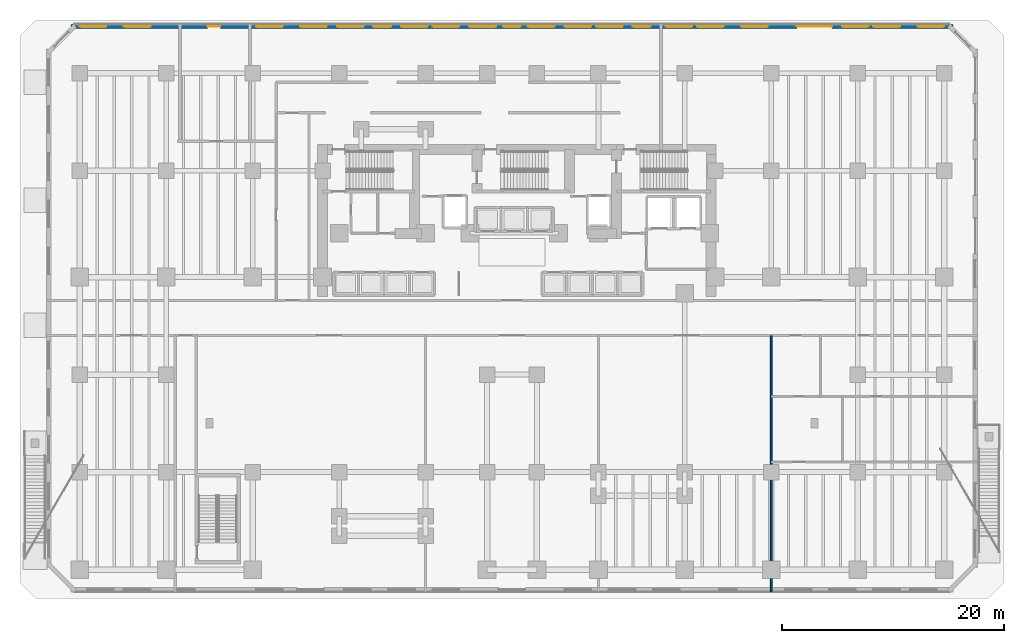
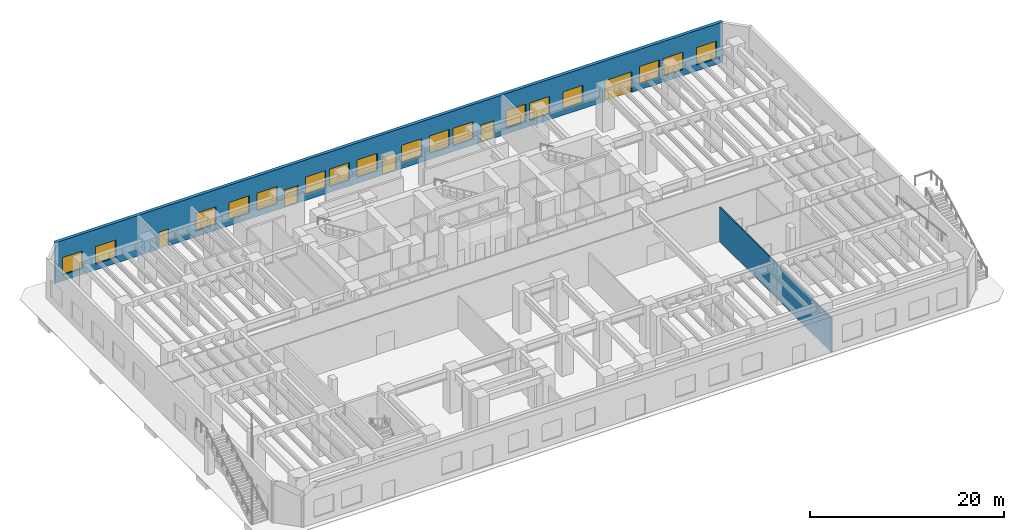
# One storey, part 10 of 17: 17 windows, 5 doors, 2 walls, 22 openings.
"""IFC4 building model written with IfcOpenShell, lengths in metres."""

from ifc_helpers import new_model, si_unit, direction, frame, frame_2d, origin, place, context, subcontext, project, spatial, rectangle, extrude, material, layer, layer_set, type_object, element, fill, save


model = new_model("IFC4")

# Units and contexts
model_context = context("Model", 3, precision=1e-05, world=origin(), true_north=direction((0.0, 1.0)))
body_context = subcontext(model_context, "Body", "Model", "MODEL_VIEW")
ifc_project = project(units=[si_unit("LENGTHUNIT", "METRE"), si_unit("AREAUNIT", "SQUARE_METRE"), si_unit("VOLUMEUNIT", "CUBIC_METRE"), si_unit("PLANEANGLEUNIT", "RADIAN"), si_unit("MASSUNIT", "GRAM", prefix="KILO")], contexts=[model_context])

# Site, building, storey
site_placement = place(None, origin())
site = spatial("IfcSite", under=ifc_project, at=site_placement, CompositionType="ELEMENT")
building_placement = place(site_placement, origin())
building = spatial("IfcBuilding", under=site, at=building_placement, Name="Kestravale Grand Hotel", CompositionType="ELEMENT")
storey_placement = place(building_placement, origin())
storey = spatial("IfcBuildingStorey", under=building, at=storey_placement, Name="L00", CompositionType="ELEMENT", Elevation=0.0)

# Wall, openings, doors, windows
ifc_material_1 = material(Name="Precast concrete f'c 45 MPa", Category="concrete")
ifc_layer_1 = layer(ifc_material_1, 0.3798828125)
ifc_layer_set_1 = layer_set([ifc_layer_1], Name="EW-POD-380")
wall_type_1 = type_object("IfcWallType", Name="EW-POD-380", PredefinedType="SOLIDWALL", material=ifc_layer_set_1)
wall_1_placement = place(storey_placement, frame((-0.7900390625, 51.409912109375, 0.0), z_axis=(0.0, 0.0, 1.0), x_axis=(1.0, 0.0, 0.0)))
wall_1 = element("IfcWall", 1, at=wall_1_placement, inside=storey, type_object=wall_type_1, Name="L00 fluted precast facade wall 5", PredefinedType="SOLIDWALL", context=body_context, shape_type="SweptSolid", body=[
    extrude(rectangle(XDim=79.580078125, YDim=0.3798828125, at=frame_2d((39.7900390625, 0.0))), origin(), (0.0, 0.0, 1.0), 5.10009765625),
])
opening_1_placement = place(wall_1_placement, frame((12.31494140625, 0.0, 0.0)))
opening_1 = element("IfcOpeningElement", 2, at=opening_1_placement, cuts=wall_1, Name="Opening D-EXIT-1150", PredefinedType="OPENING", context=body_context, shape_type="SweptSolid", body=[
    extrude(rectangle(XDim=1.14990234375, YDim=2.14990234375, at=frame_2d((0.574951171875, 1.074951171875))), frame((0.0, 0.199951171875, 0.0), z_axis=(0.0, -1.0, 0.0), x_axis=(1.0, 0.0, 0.0)), (0.0, 0.0, 1.0), 0.39990234375),
])
opening_2_placement = place(wall_1_placement, frame((27.2900390625, 0.0, 0.0)))
opening_2 = element("IfcOpeningElement", 3, at=opening_2_placement, cuts=wall_1, Name="Opening D-EXIT-1600", PredefinedType="OPENING", context=body_context, shape_type="SweptSolid", body=[
    extrude(rectangle(XDim=1.60009765625, YDim=2.199951171875, at=frame_2d((0.800048828125, 1.10009765625))), frame((0.0, 0.199951171875, 0.0), z_axis=(0.0, -1.0, 0.0), x_axis=(1.0, 0.0, 0.0)), (0.0, 0.0, 1.0), 0.39990234375),
])
opening_3_placement = place(wall_1_placement, frame((38.989990234375, 0.0, 0.0)))
opening_3 = element("IfcOpeningElement", 4, at=opening_3_placement, cuts=wall_1, Name="Opening D-EXIT-1600", PredefinedType="OPENING", context=body_context, shape_type="SweptSolid", body=[
    extrude(rectangle(XDim=1.60009765625, YDim=2.199951171875, at=frame_2d((0.800048828125, 1.10009765625))), frame((0.0, 0.199951171875, 0.0), z_axis=(0.0, -1.0, 0.0), x_axis=(1.0, 0.0, 0.0)), (0.0, 0.0, 1.0), 0.39990234375),
])
opening_4_placement = place(wall_1_placement, frame((50.68994140625, 0.0, 0.0)))
opening_4 = element("IfcOpeningElement", 5, at=opening_4_placement, cuts=wall_1, Name="Opening D-EXIT-1600", PredefinedType="OPENING", context=body_context, shape_type="SweptSolid", body=[
    extrude(rectangle(XDim=1.60009765625, YDim=2.199951171875, at=frame_2d((0.800048828125, 1.10009765625))), frame((0.0, 0.199951171875, 0.0), z_axis=(0.0, -1.0, 0.0), x_axis=(1.0, 0.0, 0.0)), (0.0, 0.0, 1.0), 0.39990234375),
])
opening_5_placement = place(wall_1_placement, frame((65.489990234375, 0.0, 0.0)))
opening_5 = element("IfcOpeningElement", 6, at=opening_5_placement, cuts=wall_1, Name="Opening D-GATE-3200", PredefinedType="OPENING", context=body_context, shape_type="SweptSolid", body=[
    extrude(rectangle(XDim=3.199951171875, YDim=2.60009765625, at=frame_2d((1.60009765625, 1.300048828125))), frame((0.0, 0.199951171875, 0.0), z_axis=(0.0, -1.0, 0.0), x_axis=(1.0, 0.0, 0.0)), (0.0, 0.0, 1.0), 0.39990234375),
])
opening_6_placement = place(wall_1_placement, frame((0.78955078125, 0.0, 0.75)))
opening_6 = element("IfcOpeningElement", 7, at=opening_6_placement, cuts=wall_1, Name="Opening W-POD-2400", PredefinedType="OPENING", context=body_context, shape_type="SweptSolid", body=[
    extrude(rectangle(XDim=2.39990234375, YDim=2.199951171875, at=frame_2d((1.199951171875, 1.10009765625))), frame((0.0, 0.199951171875, 0.0), z_axis=(0.0, -1.0, 0.0), x_axis=(1.0, 0.0, 0.0)), (0.0, 0.0, 1.0), 0.39990234375),
])
opening_7_placement = place(wall_1_placement, frame((4.7685546875, 0.0, 0.75)))
opening_7 = element("IfcOpeningElement", 8, at=opening_7_placement, cuts=wall_1, Name="Opening W-POD-2400", PredefinedType="OPENING", context=body_context, shape_type="SweptSolid", body=[
    extrude(rectangle(XDim=2.39990234375, YDim=2.199951171875, at=frame_2d((1.199951171875, 1.10009765625))), frame((0.0, 0.199951171875, 0.0), z_axis=(0.0, -1.0, 0.0), x_axis=(1.0, 0.0, 0.0)), (0.0, 0.0, 1.0), 0.39990234375),
])
opening_8_placement = place(wall_1_placement, frame((16.70556640625, 0.0, 0.75)))
opening_8 = element("IfcOpeningElement", 9, at=opening_8_placement, cuts=wall_1, Name="Opening W-POD-2400", PredefinedType="OPENING", context=body_context, shape_type="SweptSolid", body=[
    extrude(rectangle(XDim=2.39990234375, YDim=2.199951171875, at=frame_2d((1.199951171875, 1.10009765625))), frame((0.0, 0.199951171875, 0.0), z_axis=(0.0, -1.0, 0.0), x_axis=(1.0, 0.0, 0.0)), (0.0, 0.0, 1.0), 0.39990234375),
])
opening_9_placement = place(wall_1_placement, frame((20.6845703125, 0.0, 0.75)))
opening_9 = element("IfcOpeningElement", 10, at=opening_9_placement, cuts=wall_1, Name="Opening W-POD-2400", PredefinedType="OPENING", context=body_context, shape_type="SweptSolid", body=[
    extrude(rectangle(XDim=2.39990234375, YDim=2.199951171875, at=frame_2d((1.199951171875, 1.10009765625))), frame((0.0, 0.199951171875, 0.0), z_axis=(0.0, -1.0, 0.0), x_axis=(1.0, 0.0, 0.0)), (0.0, 0.0, 1.0), 0.39990234375),
])
opening_10_placement = place(wall_1_placement, frame((24.013427734375, 0.0, 0.75)))
opening_10 = element("IfcOpeningElement", 11, at=opening_10_placement, cuts=wall_1, Name="Opening W-POD-2400", PredefinedType="OPENING", context=body_context, shape_type="SweptSolid", body=[
    extrude(rectangle(XDim=2.39990234375, YDim=2.199951171875, at=frame_2d((1.199951171875, 1.10009765625))), frame((0.0, 0.199951171875, 0.0), z_axis=(0.0, -1.0, 0.0), x_axis=(1.0, 0.0, 0.0)), (0.0, 0.0, 1.0), 0.39990234375),
])
opening_11_placement = place(wall_1_placement, frame((29.79248046875, 0.0, 0.75)))
opening_11 = element("IfcOpeningElement", 12, at=opening_11_placement, cuts=wall_1, Name="Opening W-POD-2400", PredefinedType="OPENING", context=body_context, shape_type="SweptSolid", body=[
    extrude(rectangle(XDim=2.39990234375, YDim=2.199951171875, at=frame_2d((1.199951171875, 1.10009765625))), frame((0.0, 0.199951171875, 0.0), z_axis=(0.0, -1.0, 0.0), x_axis=(1.0, 0.0, 0.0)), (0.0, 0.0, 1.0), 0.39990234375),
])
opening_12_placement = place(wall_1_placement, frame((32.62158203125, 0.0, 0.75)))
opening_12 = element("IfcOpeningElement", 13, at=opening_12_placement, cuts=wall_1, Name="Opening W-POD-2400", PredefinedType="OPENING", context=body_context, shape_type="SweptSolid", body=[
    extrude(rectangle(XDim=2.39990234375, YDim=2.199951171875, at=frame_2d((1.199951171875, 1.10009765625))), frame((0.0, 0.199951171875, 0.0), z_axis=(0.0, -1.0, 0.0), x_axis=(1.0, 0.0, 0.0)), (0.0, 0.0, 1.0), 0.39990234375),
])
opening_13_placement = place(wall_1_placement, frame((35.950439453125, 0.0, 0.75)))
opening_13 = element("IfcOpeningElement", 14, at=opening_13_placement, cuts=wall_1, Name="Opening W-POD-2400", PredefinedType="OPENING", context=body_context, shape_type="SweptSolid", body=[
    extrude(rectangle(XDim=2.39990234375, YDim=2.199951171875, at=frame_2d((1.199951171875, 1.10009765625))), frame((0.0, 0.199951171875, 0.0), z_axis=(0.0, -1.0, 0.0), x_axis=(1.0, 0.0, 0.0)), (0.0, 0.0, 1.0), 0.39990234375),
])
opening_14_placement = place(wall_1_placement, frame((41.2294921875, 0.0, 0.75)))
opening_14 = element("IfcOpeningElement", 15, at=opening_14_placement, cuts=wall_1, Name="Opening W-POD-2400", PredefinedType="OPENING", context=body_context, shape_type="SweptSolid", body=[
    extrude(rectangle(XDim=2.39990234375, YDim=2.199951171875, at=frame_2d((1.199951171875, 1.10009765625))), frame((0.0, 0.199951171875, 0.0), z_axis=(0.0, -1.0, 0.0), x_axis=(1.0, 0.0, 0.0)), (0.0, 0.0, 1.0), 0.39990234375),
])
opening_15_placement = place(wall_1_placement, frame((44.55859375, 0.0, 0.75)))
opening_15 = element("IfcOpeningElement", 16, at=opening_15_placement, cuts=wall_1, Name="Opening W-POD-2400", PredefinedType="OPENING", context=body_context, shape_type="SweptSolid", body=[
    extrude(rectangle(XDim=2.39990234375, YDim=2.199951171875, at=frame_2d((1.199951171875, 1.10009765625))), frame((0.0, 0.199951171875, 0.0), z_axis=(0.0, -1.0, 0.0), x_axis=(1.0, 0.0, 0.0)), (0.0, 0.0, 1.0), 0.39990234375),
])
opening_16_placement = place(wall_1_placement, frame((47.387451171875, 0.0, 0.75)))
opening_16 = element("IfcOpeningElement", 17, at=opening_16_placement, cuts=wall_1, Name="Opening W-POD-2400", PredefinedType="OPENING", context=body_context, shape_type="SweptSolid", body=[
    extrude(rectangle(XDim=2.39990234375, YDim=2.199951171875, at=frame_2d((1.199951171875, 1.10009765625))), frame((0.0, 0.199951171875, 0.0), z_axis=(0.0, -1.0, 0.0), x_axis=(1.0, 0.0, 0.0)), (0.0, 0.0, 1.0), 0.39990234375),
])
opening_17_placement = place(wall_1_placement, frame((53.66650390625, 0.0, 0.75)))
opening_17 = element("IfcOpeningElement", 18, at=opening_17_placement, cuts=wall_1, Name="Opening W-POD-2400", PredefinedType="OPENING", context=body_context, shape_type="SweptSolid", body=[
    extrude(rectangle(XDim=2.39990234375, YDim=2.199951171875, at=frame_2d((1.199951171875, 1.10009765625))), frame((0.0, 0.199951171875, 0.0), z_axis=(0.0, -1.0, 0.0), x_axis=(1.0, 0.0, 0.0)), (0.0, 0.0, 1.0), 0.39990234375),
])
opening_18_placement = place(wall_1_placement, frame((56.49560546875, 0.0, 0.75)))
opening_18 = element("IfcOpeningElement", 19, at=opening_18_placement, cuts=wall_1, Name="Opening W-POD-2400", PredefinedType="OPENING", context=body_context, shape_type="SweptSolid", body=[
    extrude(rectangle(XDim=2.39990234375, YDim=2.199951171875, at=frame_2d((1.199951171875, 1.10009765625))), frame((0.0, 0.199951171875, 0.0), z_axis=(0.0, -1.0, 0.0), x_axis=(1.0, 0.0, 0.0)), (0.0, 0.0, 1.0), 0.39990234375),
])
opening_19_placement = place(wall_1_placement, frame((60.474609375, 0.0, 0.75)))
opening_19 = element("IfcOpeningElement", 20, at=opening_19_placement, cuts=wall_1, Name="Opening W-POD-2400", PredefinedType="OPENING", context=body_context, shape_type="SweptSolid", body=[
    extrude(rectangle(XDim=2.39990234375, YDim=2.199951171875, at=frame_2d((1.199951171875, 1.10009765625))), frame((0.0, 0.199951171875, 0.0), z_axis=(0.0, -1.0, 0.0), x_axis=(1.0, 0.0, 0.0)), (0.0, 0.0, 1.0), 0.39990234375),
])
opening_20_placement = place(wall_1_placement, frame((69.58251953125, 0.0, 0.75)))
opening_20 = element("IfcOpeningElement", 21, at=opening_20_placement, cuts=wall_1, Name="Opening W-POD-2400", PredefinedType="OPENING", context=body_context, shape_type="SweptSolid", body=[
    extrude(rectangle(XDim=2.39990234375, YDim=2.199951171875, at=frame_2d((1.199951171875, 1.10009765625))), frame((0.0, 0.199951171875, 0.0), z_axis=(0.0, -1.0, 0.0), x_axis=(1.0, 0.0, 0.0)), (0.0, 0.0, 1.0), 0.39990234375),
])
opening_21_placement = place(wall_1_placement, frame((72.41162109375, 0.0, 0.75)))
opening_21 = element("IfcOpeningElement", 22, at=opening_21_placement, cuts=wall_1, Name="Opening W-POD-2400", PredefinedType="OPENING", context=body_context, shape_type="SweptSolid", body=[
    extrude(rectangle(XDim=2.39990234375, YDim=2.199951171875, at=frame_2d((1.199951171875, 1.10009765625))), frame((0.0, 0.199951171875, 0.0), z_axis=(0.0, -1.0, 0.0), x_axis=(1.0, 0.0, 0.0)), (0.0, 0.0, 1.0), 0.39990234375),
])
opening_22_placement = place(wall_1_placement, frame((76.390380859375, 0.0, 0.75)))
opening_22 = element("IfcOpeningElement", 23, at=opening_22_placement, cuts=wall_1, Name="Opening W-POD-2400", PredefinedType="OPENING", context=body_context, shape_type="SweptSolid", body=[
    extrude(rectangle(XDim=2.39990234375, YDim=2.199951171875, at=frame_2d((1.199951171875, 1.10009765625))), frame((0.0, 0.199951171875, 0.0), z_axis=(0.0, -1.0, 0.0), x_axis=(1.0, 0.0, 0.0)), (0.0, 0.0, 1.0), 0.39990234375),
])
ifc_material_2 = material(Name="Galvanised insulated hollow steel door", Category="steel")
door_type_1 = type_object("IfcDoorType", Name="D-EXIT-1150", OperationType="NOTDEFINED", PredefinedType="DOOR", material=ifc_material_2)
door_1_placement = place(opening_1_placement, origin())
door_1 = element("IfcDoor", 24, at=door_1_placement, inside=storey, type_object=door_type_1, Name="Fire Command Center Firefighter Street Door", OperationType="SINGLE_SWING_LEFT", OverallHeight=2.14990234375, OverallWidth=1.14990234375, PredefinedType="DOOR", context=body_context, shape_type="SweptSolid", body=[
    extrude(rectangle(XDim=1.14990234375, YDim=2.14990234375, at=frame_2d((0.574951171875, 1.074951171875))), frame((0.0, 0.02490234375, 0.0), z_axis=(0.0, -1.0, 0.0), x_axis=(1.0, 0.0, 0.0)), (0.0, 0.0, 1.0), 0.050048828125),
])
fill(opening_1, door_1)
ifc_material_3 = material(Name="Galvanised insulated hollow steel door", Category="steel")
door_type_2 = type_object("IfcDoorType", Name="D-EXIT-1600", OperationType="NOTDEFINED", PredefinedType="DOOR", material=ifc_material_3)
door_2_placement = place(opening_2_placement, origin())
door_2 = element("IfcDoor", 25, at=door_2_placement, inside=storey, type_object=door_type_2, Name="North Core Stair Exit Discharge Door West", OperationType="DOUBLE_DOOR_SINGLE_SWING", OverallHeight=2.199951171875, OverallWidth=1.60009765625, PredefinedType="DOOR", context=body_context, shape_type="SweptSolid", body=[
    extrude(rectangle(XDim=1.60009765625, YDim=2.199951171875, at=frame_2d((0.800048828125, 1.10009765625))), frame((0.0, 0.02490234375, 0.0), z_axis=(0.0, -1.0, 0.0), x_axis=(1.0, 0.0, 0.0)), (0.0, 0.0, 1.0), 0.050048828125),
])
fill(opening_2, door_2)
door_3_placement = place(opening_3_placement, origin())
door_3 = element("IfcDoor", 26, at=door_3_placement, inside=storey, type_object=door_type_2, Name="North Core Stair Exit Discharge Door Central", OperationType="DOUBLE_DOOR_SINGLE_SWING", OverallHeight=2.199951171875, OverallWidth=1.60009765625, PredefinedType="DOOR", context=body_context, shape_type="SweptSolid", body=[
    extrude(rectangle(XDim=1.60009765625, YDim=2.199951171875, at=frame_2d((0.800048828125, 1.10009765625))), frame((0.0, 0.02490234375, 0.0), z_axis=(0.0, -1.0, 0.0), x_axis=(1.0, 0.0, 0.0)), (0.0, 0.0, 1.0), 0.050048828125),
])
fill(opening_3, door_3)
door_4_placement = place(opening_4_placement, origin())
door_4 = element("IfcDoor", 27, at=door_4_placement, inside=storey, type_object=door_type_2, Name="North Core Stair Exit Discharge Door East", OperationType="DOUBLE_DOOR_SINGLE_SWING", OverallHeight=2.199951171875, OverallWidth=1.60009765625, PredefinedType="DOOR", context=body_context, shape_type="SweptSolid", body=[
    extrude(rectangle(XDim=1.60009765625, YDim=2.199951171875, at=frame_2d((0.800048828125, 1.10009765625))), frame((0.0, 0.02490234375, 0.0), z_axis=(0.0, -1.0, 0.0), x_axis=(1.0, 0.0, 0.0)), (0.0, 0.0, 1.0), 0.050048828125),
])
fill(opening_4, door_4)
ifc_material_4 = material(Name="Galvanised insulated hollow steel door", Category="steel")
door_type_3 = type_object("IfcDoorType", Name="D-GATE-3200", OperationType="NOTDEFINED", PredefinedType="GATE", material=ifc_material_4)
door_5_placement = place(opening_5_placement, origin())
door_5 = element("IfcDoor", 28, at=door_5_placement, inside=storey, type_object=door_type_3, Name="Service Loading Dock Security Gate 1", OperationType="DOUBLE_DOOR_FOLDING", OverallHeight=2.60009765625, OverallWidth=3.199951171875, PredefinedType="GATE", context=body_context, shape_type="SweptSolid", body=[
    extrude(rectangle(XDim=3.199951171875, YDim=2.60009765625, at=frame_2d((1.60009765625, 1.300048828125))), frame((0.0, 0.02490234375, 0.0), z_axis=(0.0, -1.0, 0.0), x_axis=(1.0, 0.0, 0.0)), (0.0, 0.0, 1.0), 0.050048828125),
])
fill(opening_5, door_5)
ifc_material_5 = material(Name="Insulated low-E double glazing in aluminium frame", Category="aluminium")
window_type = type_object("IfcWindowType", Name="W-POD-2400", PartitioningType="DOUBLE_PANEL_VERTICAL", PredefinedType="WINDOW", material=ifc_material_5)
window_1_placement = place(opening_6_placement, origin())
window_1 = element("IfcWindow", 29, at=window_1_placement, inside=storey, type_object=window_type, Name="L00 exterior window 5.1", OverallHeight=2.199951171875, OverallWidth=2.39990234375, PartitioningType="SINGLE_PANEL", PredefinedType="WINDOW", context=body_context, shape_type="SweptSolid", body=[
    extrude(rectangle(XDim=2.39990234375, YDim=2.199951171875, at=frame_2d((1.199951171875, 1.10009765625))), frame((0.0, 0.030029296875, 0.0), z_axis=(0.0, -1.0, 0.0), x_axis=(1.0, 0.0, 0.0)), (0.0, 0.0, 1.0), 0.06005859375),
])
fill(opening_6, window_1)
window_2_placement = place(opening_7_placement, origin())
window_2 = element("IfcWindow", 30, at=window_2_placement, inside=storey, type_object=window_type, Name="L00 exterior window 5.2", OverallHeight=2.199951171875, OverallWidth=2.39990234375, PartitioningType="SINGLE_PANEL", PredefinedType="WINDOW", context=body_context, shape_type="SweptSolid", body=[
    extrude(rectangle(XDim=2.39990234375, YDim=2.199951171875, at=frame_2d((1.199951171875, 1.10009765625))), frame((0.0, 0.030029296875, 0.0), z_axis=(0.0, -1.0, 0.0), x_axis=(1.0, 0.0, 0.0)), (0.0, 0.0, 1.0), 0.06005859375),
])
fill(opening_7, window_2)
window_3_placement = place(opening_8_placement, origin())
window_3 = element("IfcWindow", 31, at=window_3_placement, inside=storey, type_object=window_type, Name="L00 exterior window 5.3", OverallHeight=2.199951171875, OverallWidth=2.39990234375, PartitioningType="SINGLE_PANEL", PredefinedType="WINDOW", context=body_context, shape_type="SweptSolid", body=[
    extrude(rectangle(XDim=2.39990234375, YDim=2.199951171875, at=frame_2d((1.199951171875, 1.10009765625))), frame((0.0, 0.030029296875, 0.0), z_axis=(0.0, -1.0, 0.0), x_axis=(1.0, 0.0, 0.0)), (0.0, 0.0, 1.0), 0.06005859375),
])
fill(opening_8, window_3)
window_4_placement = place(opening_9_placement, origin())
window_4 = element("IfcWindow", 32, at=window_4_placement, inside=storey, type_object=window_type, Name="L00 exterior window 5.4", OverallHeight=2.199951171875, OverallWidth=2.39990234375, PartitioningType="SINGLE_PANEL", PredefinedType="WINDOW", context=body_context, shape_type="SweptSolid", body=[
    extrude(rectangle(XDim=2.39990234375, YDim=2.199951171875, at=frame_2d((1.199951171875, 1.10009765625))), frame((0.0, 0.030029296875, 0.0), z_axis=(0.0, -1.0, 0.0), x_axis=(1.0, 0.0, 0.0)), (0.0, 0.0, 1.0), 0.06005859375),
])
fill(opening_9, window_4)
window_5_placement = place(opening_10_placement, origin())
window_5 = element("IfcWindow", 33, at=window_5_placement, inside=storey, type_object=window_type, Name="L00 exterior window 5.5", OverallHeight=2.199951171875, OverallWidth=2.39990234375, PartitioningType="SINGLE_PANEL", PredefinedType="WINDOW", context=body_context, shape_type="SweptSolid", body=[
    extrude(rectangle(XDim=2.39990234375, YDim=2.199951171875, at=frame_2d((1.199951171875, 1.10009765625))), frame((0.0, 0.030029296875, 0.0), z_axis=(0.0, -1.0, 0.0), x_axis=(1.0, 0.0, 0.0)), (0.0, 0.0, 1.0), 0.06005859375),
])
fill(opening_10, window_5)
window_6_placement = place(opening_11_placement, origin())
window_6 = element("IfcWindow", 34, at=window_6_placement, inside=storey, type_object=window_type, Name="L00 exterior window 5.6", OverallHeight=2.199951171875, OverallWidth=2.39990234375, PartitioningType="SINGLE_PANEL", PredefinedType="WINDOW", context=body_context, shape_type="SweptSolid", body=[
    extrude(rectangle(XDim=2.39990234375, YDim=2.199951171875, at=frame_2d((1.199951171875, 1.10009765625))), frame((0.0, 0.030029296875, 0.0), z_axis=(0.0, -1.0, 0.0), x_axis=(1.0, 0.0, 0.0)), (0.0, 0.0, 1.0), 0.06005859375),
])
fill(opening_11, window_6)
window_7_placement = place(opening_12_placement, origin())
window_7 = element("IfcWindow", 35, at=window_7_placement, inside=storey, type_object=window_type, Name="L00 exterior window 5.7", OverallHeight=2.199951171875, OverallWidth=2.39990234375, PartitioningType="SINGLE_PANEL", PredefinedType="WINDOW", context=body_context, shape_type="SweptSolid", body=[
    extrude(rectangle(XDim=2.39990234375, YDim=2.199951171875, at=frame_2d((1.199951171875, 1.10009765625))), frame((0.0, 0.030029296875, 0.0), z_axis=(0.0, -1.0, 0.0), x_axis=(1.0, 0.0, 0.0)), (0.0, 0.0, 1.0), 0.06005859375),
])
fill(opening_12, window_7)
window_8_placement = place(opening_13_placement, origin())
window_8 = element("IfcWindow", 36, at=window_8_placement, inside=storey, type_object=window_type, Name="L00 exterior window 5.8", OverallHeight=2.199951171875, OverallWidth=2.39990234375, PartitioningType="SINGLE_PANEL", PredefinedType="WINDOW", context=body_context, shape_type="SweptSolid", body=[
    extrude(rectangle(XDim=2.39990234375, YDim=2.199951171875, at=frame_2d((1.199951171875, 1.10009765625))), frame((0.0, 0.030029296875, 0.0), z_axis=(0.0, -1.0, 0.0), x_axis=(1.0, 0.0, 0.0)), (0.0, 0.0, 1.0), 0.06005859375),
])
fill(opening_13, window_8)
window_9_placement = place(opening_14_placement, origin())
window_9 = element("IfcWindow", 37, at=window_9_placement, inside=storey, type_object=window_type, Name="L00 exterior window 5.9", OverallHeight=2.199951171875, OverallWidth=2.39990234375, PartitioningType="SINGLE_PANEL", PredefinedType="WINDOW", context=body_context, shape_type="SweptSolid", body=[
    extrude(rectangle(XDim=2.39990234375, YDim=2.199951171875, at=frame_2d((1.199951171875, 1.10009765625))), frame((0.0, 0.030029296875, 0.0), z_axis=(0.0, -1.0, 0.0), x_axis=(1.0, 0.0, 0.0)), (0.0, 0.0, 1.0), 0.06005859375),
])
fill(opening_14, window_9)
window_10_placement = place(opening_15_placement, origin())
window_10 = element("IfcWindow", 38, at=window_10_placement, inside=storey, type_object=window_type, Name="L00 exterior window 5.10", OverallHeight=2.199951171875, OverallWidth=2.39990234375, PartitioningType="SINGLE_PANEL", PredefinedType="WINDOW", context=body_context, shape_type="SweptSolid", body=[
    extrude(rectangle(XDim=2.39990234375, YDim=2.199951171875, at=frame_2d((1.199951171875, 1.10009765625))), frame((0.0, 0.030029296875, 0.0), z_axis=(0.0, -1.0, 0.0), x_axis=(1.0, 0.0, 0.0)), (0.0, 0.0, 1.0), 0.06005859375),
])
fill(opening_15, window_10)
window_11_placement = place(opening_16_placement, origin())
window_11 = element("IfcWindow", 39, at=window_11_placement, inside=storey, type_object=window_type, Name="L00 exterior window 5.11", OverallHeight=2.199951171875, OverallWidth=2.39990234375, PartitioningType="SINGLE_PANEL", PredefinedType="WINDOW", context=body_context, shape_type="SweptSolid", body=[
    extrude(rectangle(XDim=2.39990234375, YDim=2.199951171875, at=frame_2d((1.199951171875, 1.10009765625))), frame((0.0, 0.030029296875, 0.0), z_axis=(0.0, -1.0, 0.0), x_axis=(1.0, 0.0, 0.0)), (0.0, 0.0, 1.0), 0.06005859375),
])
fill(opening_16, window_11)
window_12_placement = place(opening_17_placement, origin())
window_12 = element("IfcWindow", 40, at=window_12_placement, inside=storey, type_object=window_type, Name="L00 exterior window 5.12", OverallHeight=2.199951171875, OverallWidth=2.39990234375, PartitioningType="SINGLE_PANEL", PredefinedType="WINDOW", context=body_context, shape_type="SweptSolid", body=[
    extrude(rectangle(XDim=2.39990234375, YDim=2.199951171875, at=frame_2d((1.199951171875, 1.10009765625))), frame((0.0, 0.030029296875, 0.0), z_axis=(0.0, -1.0, 0.0), x_axis=(1.0, 0.0, 0.0)), (0.0, 0.0, 1.0), 0.06005859375),
])
fill(opening_17, window_12)
window_13_placement = place(opening_18_placement, origin())
window_13 = element("IfcWindow", 41, at=window_13_placement, inside=storey, type_object=window_type, Name="L00 exterior window 5.13", OverallHeight=2.199951171875, OverallWidth=2.39990234375, PartitioningType="SINGLE_PANEL", PredefinedType="WINDOW", context=body_context, shape_type="SweptSolid", body=[
    extrude(rectangle(XDim=2.39990234375, YDim=2.199951171875, at=frame_2d((1.199951171875, 1.10009765625))), frame((0.0, 0.030029296875, 0.0), z_axis=(0.0, -1.0, 0.0), x_axis=(1.0, 0.0, 0.0)), (0.0, 0.0, 1.0), 0.06005859375),
])
fill(opening_18, window_13)
window_14_placement = place(opening_19_placement, origin())
window_14 = element("IfcWindow", 42, at=window_14_placement, inside=storey, type_object=window_type, Name="L00 exterior window 5.14", OverallHeight=2.199951171875, OverallWidth=2.39990234375, PartitioningType="SINGLE_PANEL", PredefinedType="WINDOW", context=body_context, shape_type="SweptSolid", body=[
    extrude(rectangle(XDim=2.39990234375, YDim=2.199951171875, at=frame_2d((1.199951171875, 1.10009765625))), frame((0.0, 0.030029296875, 0.0), z_axis=(0.0, -1.0, 0.0), x_axis=(1.0, 0.0, 0.0)), (0.0, 0.0, 1.0), 0.06005859375),
])
fill(opening_19, window_14)
window_15_placement = place(opening_20_placement, origin())
window_15 = element("IfcWindow", 43, at=window_15_placement, inside=storey, type_object=window_type, Name="L00 exterior window 5.15", OverallHeight=2.199951171875, OverallWidth=2.39990234375, PartitioningType="SINGLE_PANEL", PredefinedType="WINDOW", context=body_context, shape_type="SweptSolid", body=[
    extrude(rectangle(XDim=2.39990234375, YDim=2.199951171875, at=frame_2d((1.199951171875, 1.10009765625))), frame((0.0, 0.030029296875, 0.0), z_axis=(0.0, -1.0, 0.0), x_axis=(1.0, 0.0, 0.0)), (0.0, 0.0, 1.0), 0.06005859375),
])
fill(opening_20, window_15)
window_16_placement = place(opening_21_placement, origin())
window_16 = element("IfcWindow", 44, at=window_16_placement, inside=storey, type_object=window_type, Name="L00 exterior window 5.16", OverallHeight=2.199951171875, OverallWidth=2.39990234375, PartitioningType="SINGLE_PANEL", PredefinedType="WINDOW", context=body_context, shape_type="SweptSolid", body=[
    extrude(rectangle(XDim=2.39990234375, YDim=2.199951171875, at=frame_2d((1.199951171875, 1.10009765625))), frame((0.0, 0.030029296875, 0.0), z_axis=(0.0, -1.0, 0.0), x_axis=(1.0, 0.0, 0.0)), (0.0, 0.0, 1.0), 0.06005859375),
])
fill(opening_21, window_16)
window_17_placement = place(opening_22_placement, origin())
window_17 = element("IfcWindow", 45, at=window_17_placement, inside=storey, type_object=window_type, Name="L00 exterior window 5.17", OverallHeight=2.199951171875, OverallWidth=2.39990234375, PartitioningType="SINGLE_PANEL", PredefinedType="WINDOW", context=body_context, shape_type="SweptSolid", body=[
    extrude(rectangle(XDim=2.39990234375, YDim=2.199951171875, at=frame_2d((1.199951171875, 1.10009765625))), frame((0.0, 0.030029296875, 0.0), z_axis=(0.0, -1.0, 0.0), x_axis=(1.0, 0.0, 0.0)), (0.0, 0.0, 1.0), 0.06005859375),
])
fill(opening_22, window_17)

# Wall
ifc_material_6 = material(Name="Double-stud STC 52 acoustic demising partition", Category="other")
ifc_layer_2 = layer(ifc_material_6, 0.14990234375)
ifc_layer_set_2 = layer_set([ifc_layer_2], Name="IW-UNIT-150")
wall_type_2 = type_object("IfcWallType", Name="IW-UNIT-150", PredefinedType="PARTITIONING", material=ifc_layer_set_2)
wall_2_placement = place(storey_placement, frame((62.39990234375, 0.419921875, 0.0), z_axis=(0.0, 0.0, 1.0), x_axis=(0.0, 1.0, 0.0)))
element("IfcWall", 46, at=wall_2_placement, inside=storey, type_object=wall_type_2, Name="W-L00-SDIV-62", PredefinedType="PARTITIONING", context=body_context, shape_type="SweptSolid", body=[
    extrude(rectangle(XDim=23.10009765625, YDim=0.14990234375, at=frame_2d((11.550048828125, 0.0))), origin(), (0.0, 0.0, 1.0), 4.35009765625),
])

save(model, "model.ifc")
